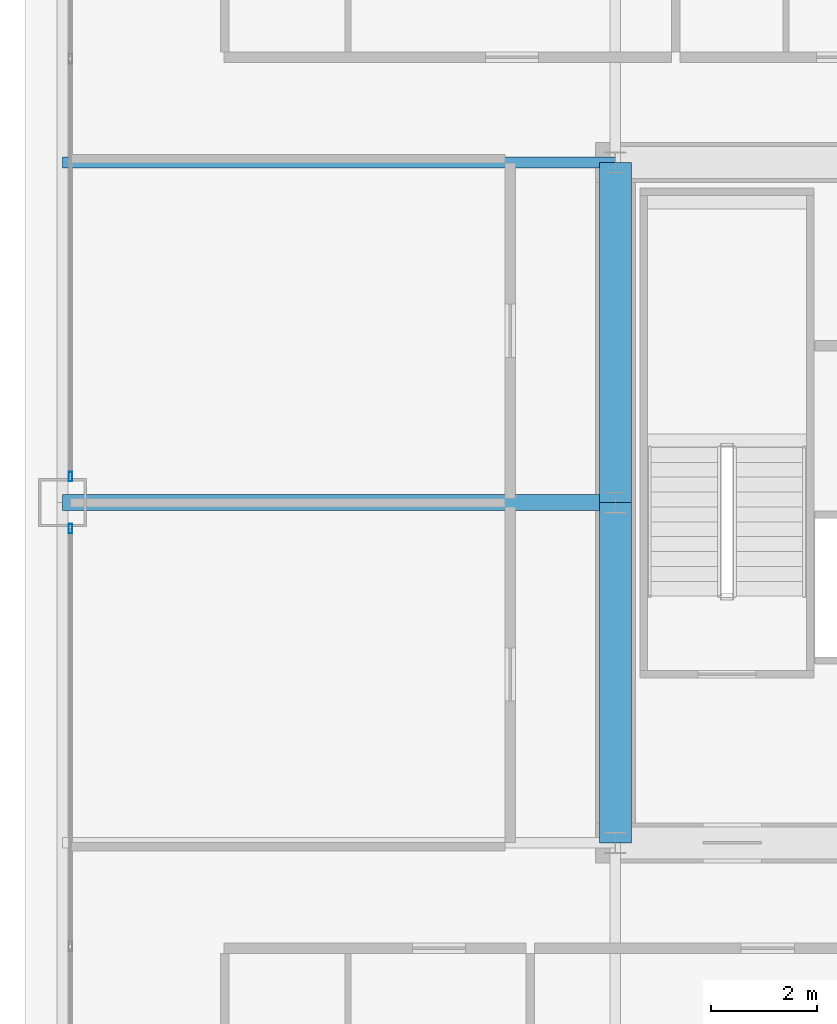
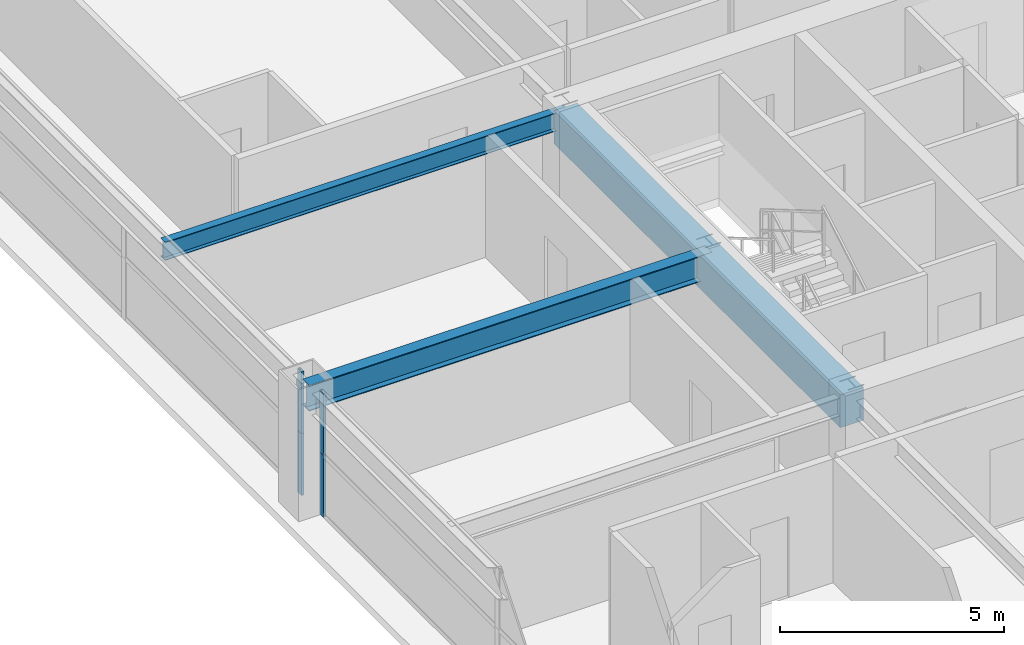
# One storey, part 12 of 39: 4 beams, 4 members, 2 elements without a shape of their own.
"""IFC4 building model written with IfcOpenShell, lengths in metres."""

from ifc_helpers import new_model, si_unit, direction, frame, origin, origin_2d, place, context, subcontext, project, spatial, rectangle, hollow_rectangle, i_section, extrude, source, transform, mapped, material, layer, layer_set, material_profile, profile_set, type_object, element, aggregate, save


model = new_model("IFC4")

# Units and contexts
model_context = context("Model", 3, precision=1e-05, world=origin(), true_north=direction((0.0, 1.0)))
body_context = subcontext(model_context, "Body", "Model", "MODEL_VIEW")
ifc_project = project(units=[si_unit("LENGTHUNIT", "METRE"), si_unit("AREAUNIT", "SQUARE_METRE"), si_unit("VOLUMEUNIT", "CUBIC_METRE"), si_unit("PLANEANGLEUNIT", "RADIAN"), si_unit("MASSUNIT", "GRAM", prefix="KILO"), si_unit("THERMODYNAMICTEMPERATUREUNIT", "KELVIN"), si_unit("POWERUNIT", "WATT")], contexts=[model_context])

# Site, building, storey
site_placement = place(None, origin())
site = spatial("IfcSite", under=ifc_project, at=site_placement, CompositionType="ELEMENT")
building_placement = place(site_placement, origin())
building = spatial("IfcBuilding", under=site, at=building_placement, Name="Yuzanri Waterfront Tower", CompositionType="ELEMENT")
storey_placement = place(building_placement, frame((0.0, 0.0, 148.800048828125)))
storey = spatial("IfcBuildingStorey", under=building, at=storey_placement, Name="L39", CompositionType="ELEMENT", Elevation=148.800048828125)

# Beams
ifc_material_1 = material(Name="Concrete C60", Category="concrete")
ifc_material_profile_1 = material_profile(ifc_material_1, rectangle(XDim=0.60009765625, YDim=0.89990234375, at=origin_2d()), Name="RC 600x900")
ifc_profile_set_1 = profile_set([ifc_material_profile_1], Name="Concrete C60")
beam_type_1 = type_object("IfcBeamType", Name="Core Coupling Lintel Concrete C60 600x900", PredefinedType="LINTEL", material=ifc_profile_set_1)
shared_shape_1 = source(origin(), body_context, "Body", "SweptSolid", [
    extrude(rectangle(XDim=0.60009765625, YDim=0.89990234375, at=origin_2d()), origin(), (0.0, 0.0, 1.0), 6.400146484375),
])
beam_1_placement = place(storey_placement, frame((23.800048828125, 19.39990234375, 2.929931640625), z_axis=(0.0, 1.0, 0.0), x_axis=(-1.0, 0.0, 0.0)))
element("IfcBeam", 1, at=beam_1_placement, inside=storey, type_object=beam_type_1, Name="L39 Core Tie Beam CW1", PredefinedType="LINTEL", context=body_context, shape_type="MappedRepresentation", body=[
    mapped(shared_shape_1, transform((0.0, 0.0, 0.0), scale=1.0)),
])
shared_shape_2 = source(origin(), body_context, "Body", "SweptSolid", [
    extrude(rectangle(XDim=0.60009765625, YDim=0.89990234375, at=origin_2d()), origin(), (0.0, 0.0, 1.0), 6.39990234375),
])
beam_2_placement = place(storey_placement, frame((23.800048828125, 25.800048828125, 2.929931640625), z_axis=(0.0, 1.0, 0.0), x_axis=(-1.0, 0.0, 0.0)))
element("IfcBeam", 2, at=beam_2_placement, inside=storey, type_object=beam_type_1, Name="L39 Core Tie Beam CW2", PredefinedType="LINTEL", context=body_context, shape_type="MappedRepresentation", body=[
    mapped(shared_shape_2, transform((0.0, 0.0, 0.0), scale=1.0)),
])
ifc_material_2 = material(Name="Steel Q355B", Category="steel")
ifc_material_profile_2 = material_profile(ifc_material_2, i_section(OverallWidth=0.300048828125, OverallDepth=0.699951171875, WebThickness=0.012939453125, FlangeThickness=0.02392578125, at=origin_2d()), Name="HN 700x300x13x24")
ifc_profile_set_2 = profile_set([ifc_material_profile_2], Name="Steel Q355B")
beam_type_2 = type_object("IfcBeamType", Name="Primary Floor Girder Q355B HN 700x300", PredefinedType="BEAM", material=ifc_profile_set_2)
shared_shape_3 = source(origin(), body_context, "Body", "SweptSolid", [
    extrude(i_section(OverallWidth=0.300048828125, OverallDepth=0.699951171875, WebThickness=0.012939453125, FlangeThickness=0.02392578125, at=origin_2d()), origin(), (0.0, 0.0, 1.0), 10.400146484375),
])
beam_3_placement = place(storey_placement, frame((23.800048828125, 25.800048828125, 3.030029296875), z_axis=(-1.0, 0.0, 0.0), x_axis=(0.0, -1.0, 0.0)))
element("IfcBeam", 3, at=beam_3_placement, inside=storey, type_object=beam_type_2, Name="L39 West Grid Girder", PredefinedType="BEAM", context=body_context, shape_type="MappedRepresentation", body=[
    mapped(shared_shape_3, transform((0.0, 0.0, 0.0), scale=1.0)),
])
ifc_material_3 = material(Name="Steel Q355B", Category="steel")
ifc_material_profile_3 = material_profile(ifc_material_3, i_section(OverallWidth=0.199951171875, OverallDepth=0.5, WebThickness=0.010009765625, FlangeThickness=0.01611328125, at=origin_2d()), Name="HN 500x200x10x16")
ifc_profile_set_3 = profile_set([ifc_material_profile_3], Name="Steel Q355B")
beam_type_3 = type_object("IfcBeamType", Name="Secondary Floor Beam Q355B HN 500x200", PredefinedType="BEAM", material=ifc_profile_set_3)
shared_shape_4 = source(origin(), body_context, "Body", "SweptSolid", [
    extrude(i_section(OverallWidth=0.199951171875, OverallDepth=0.5, WebThickness=0.010009765625, FlangeThickness=0.01611328125, at=origin_2d()), origin(), (0.0, 0.0, 1.0), 10.400146484375),
])
beam_4_placement = place(storey_placement, frame((23.800048828125, 32.199951171875, 3.1298828125), z_axis=(-1.0, 0.0, 0.0), x_axis=(0.0, -1.0, 0.0)))
element("IfcBeam", 4, at=beam_4_placement, inside=storey, type_object=beam_type_3, Name="L39 West-North Core Line Beam", PredefinedType="BEAM", context=body_context, shape_type="MappedRepresentation", body=[
    mapped(shared_shape_4, transform((0.0, 0.0, 0.0), scale=1.0)),
])

# Curtain wall, members
ifc_material_4 = material(Name="Anodized Architectural Bronze", Category="metal")
ifc_layer = layer(ifc_material_4, 0.159912109375)
ifc_layer_set = layer_set([ifc_layer], Name="Anodized Architectural Bronze")
curtain_wall_type = type_object("IfcCurtainWallType", Name="Anodized Bronze Hotel Upper-Tier Solar-Control Unitized Curtain Wall 7800", PredefinedType="NOTDEFINED", material=ifc_layer_set)
curtain_wall_1_placement = place(storey_placement, origin())
curtain_wall_1 = element("IfcCurtainWall", 5, at=curtain_wall_1_placement, inside=storey, type_object=curtain_wall_type, Name="L39 Curtain Wall CW-L39-WL", PredefinedType="NOTDEFINED")
ifc_material_5 = material(Name="Anodized Architectural Bronze", Category="metal")
ifc_material_profile_4 = material_profile(ifc_material_5, hollow_rectangle(XDim=0.070068359375, YDim=0.179931640625, WallThickness=0.00390625, at=origin_2d()), Name="CWM 70x180")
ifc_profile_set_4 = profile_set([ifc_material_profile_4], Name="Anodized Architectural Bronze")
member_type = type_object("IfcMemberType", Name="Anodized Bronze Standard Curtain-Wall Mullion 70x180", PredefinedType="MULLION", material=ifc_profile_set_4)
shared_shape_5 = source(origin(), body_context, "Body", "SweptSolid", [
    extrude(hollow_rectangle(XDim=0.070068359375, YDim=0.179931640625, WallThickness=0.00390625, at=origin_2d()), origin(), (0.0, 0.0, 1.0), 1.68798828125),
])
member_1_placement = place(storey_placement, frame((13.550048828125, 25.31005859375, 0.0), z_axis=(0.0, 0.0, 1.0), x_axis=(1.0, 0.0, 0.0)))
member_1 = element("IfcMember", 6, at=member_1_placement, type_object=member_type, Name="CW-L39-WL Lower Mullion 02", PredefinedType="MULLION", context=body_context, shape_type="MappedRepresentation", body=[
    mapped(shared_shape_5, transform((0.0, 0.0, 0.0), scale=1.0)),
])
member_2_placement = place(storey_placement, frame((13.550048828125, 25.31005859375, 1.69189453125), z_axis=(0.0, 0.0, 1.0), x_axis=(1.0, 0.0, 0.0)))
member_2 = element("IfcMember", 7, at=member_2_placement, type_object=member_type, Name="CW-L39-WL Upper Mullion 02", PredefinedType="MULLION", context=body_context, shape_type="MappedRepresentation", body=[
    mapped(shared_shape_5, transform((0.0, 0.0, 0.0), scale=1.0)),
])
aggregate(curtain_wall_1, [member_1, member_2])

curtain_wall_2_placement = place(storey_placement, origin())
curtain_wall_2 = element("IfcCurtainWall", 8, at=curtain_wall_2_placement, inside=storey, type_object=curtain_wall_type, Name="L39 Curtain Wall CW-L39-WR", PredefinedType="NOTDEFINED")
member_3_placement = place(storey_placement, frame((13.550048828125, 26.2900390625, 0.0), z_axis=(0.0, 0.0, 1.0), x_axis=(1.0, 0.0, 0.0)))
member_3 = element("IfcMember", 9, at=member_3_placement, type_object=member_type, Name="CW-L39-WR Lower Mullion 00", PredefinedType="MULLION", context=body_context, shape_type="MappedRepresentation", body=[
    mapped(shared_shape_5, transform((0.0, 0.0, 0.0), scale=1.0)),
])
member_4_placement = place(storey_placement, frame((13.550048828125, 26.2900390625, 1.69189453125), z_axis=(0.0, 0.0, 1.0), x_axis=(1.0, 0.0, 0.0)))
member_4 = element("IfcMember", 10, at=member_4_placement, type_object=member_type, Name="CW-L39-WR Upper Mullion 00", PredefinedType="MULLION", context=body_context, shape_type="MappedRepresentation", body=[
    mapped(shared_shape_5, transform((0.0, 0.0, 0.0), scale=1.0)),
])
aggregate(curtain_wall_2, [member_3, member_4])

save(model, "model.ifc")
